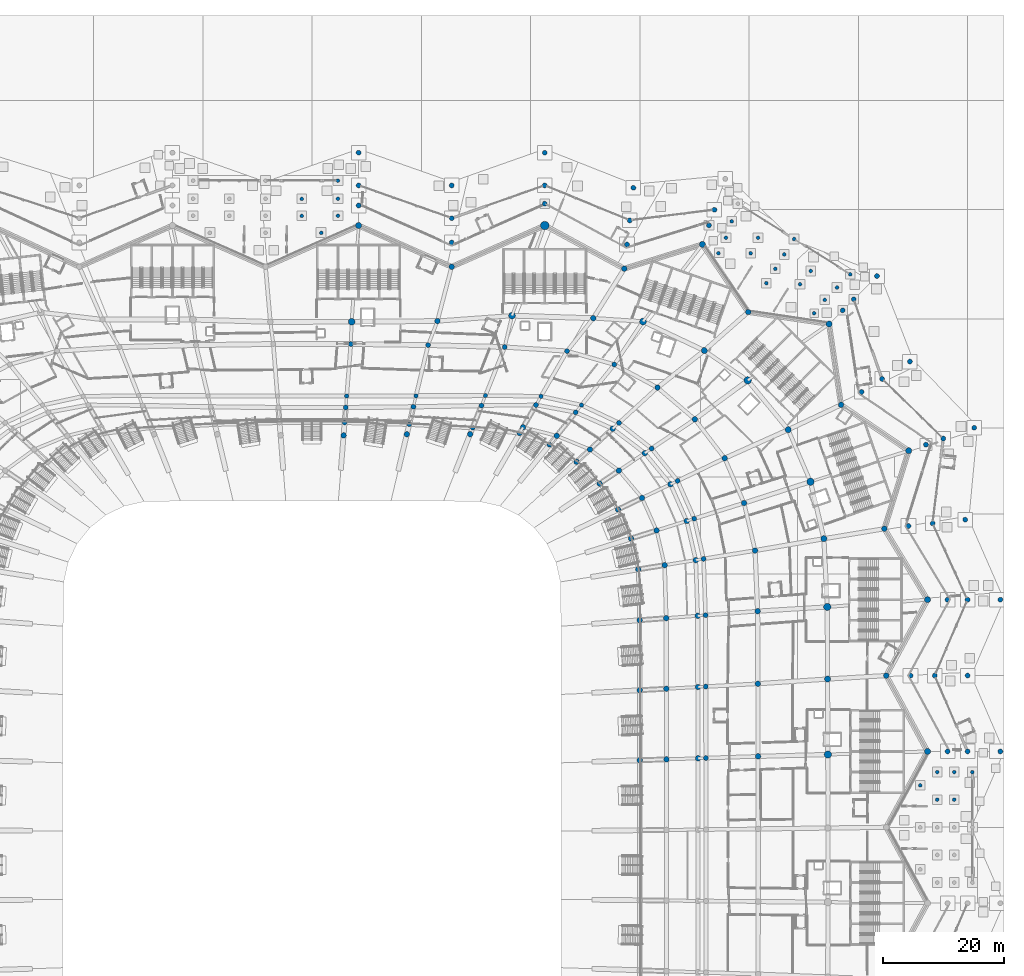
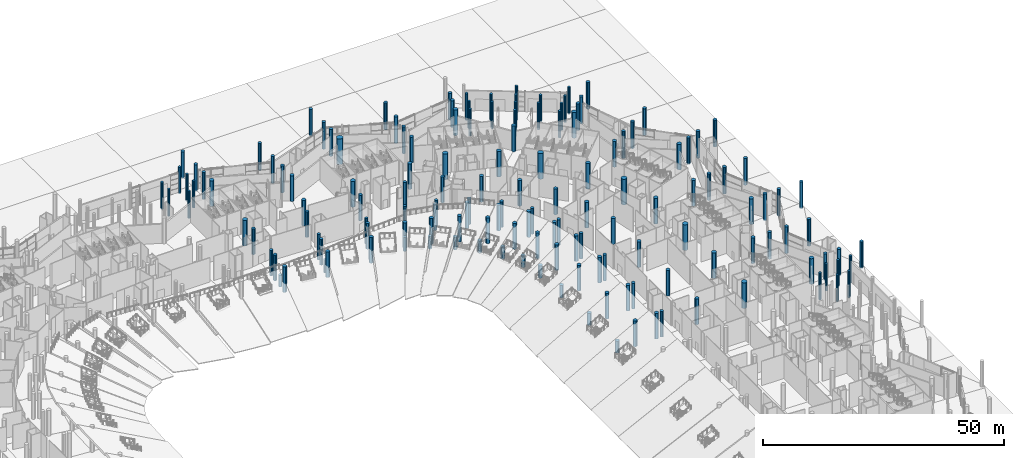
# One storey, part 14 of 255: 153 columns.
"""IFC4 building model written with IfcOpenShell, lengths in metres."""

from ifc_helpers import new_model, si_unit, direction, frame, origin, origin_2d, place, context, subcontext, project, spatial, circle, extrude, material, material_profile, profile_set, type_object, element, save


model = new_model("IFC4")

# Units and contexts
model_context = context("Model", 3, precision=1e-05, world=origin(), true_north=direction((0.0, 1.0)))
body_context = subcontext(model_context, "Body", "Model", "MODEL_VIEW")
ifc_project = project(units=[si_unit("LENGTHUNIT", "METRE"), si_unit("AREAUNIT", "SQUARE_METRE"), si_unit("VOLUMEUNIT", "CUBIC_METRE"), si_unit("PLANEANGLEUNIT", "RADIAN"), si_unit("MASSUNIT", "GRAM", prefix="KILO")], contexts=[model_context])

# Site, building, storey
site_placement = place(None, origin())
site = spatial("IfcSite", under=ifc_project, at=site_placement, CompositionType="ELEMENT")
building_placement = place(site_placement, origin())
building = spatial("IfcBuilding", under=site, at=building_placement, Name="Meseta Stadium", CompositionType="ELEMENT")
storey_placement = place(building_placement, origin())
storey = spatial("IfcBuildingStorey", under=building, at=storey_placement, Name="L00", CompositionType="ELEMENT", Elevation=0.0)

# Columns
ifc_material_1 = material(Name="Concrete C40/50", Category="concrete")
ifc_material_profile_1 = material_profile(ifc_material_1, circle(Radius=0.300048828125, at=origin_2d()), Name="RC D600")
ifc_profile_set_1 = profile_set([ifc_material_profile_1], Name="Concrete C40/50")
column_type_1 = type_object("IfcColumnType", Name="Gate column D600", PredefinedType="COLUMN", material=ifc_profile_set_1)
for number, where, z_axis, x_axis, name in (
    (1, (100.199951171875, 13.16748046875, -0.300048828125), (0.0, 0.0, 1.0), (1.0, 0.0, 0.0), "Gate 1 column L00"),
    (2, (103.0, 10.800048828125, -0.300048828125), (0.0, 0.0, 1.0), (1.0, 0.0, 0.0), "Gate 1 column L00"),
    (3, (103.0, 15.35009765625, -0.300048828125), (0.0, 0.0, 1.0), (1.0, 0.0, 0.0), "Gate 1 column L00"),
    (4, (105.800048828125, 10.800048828125, -0.300048828125), (0.0, 0.0, 1.0), (1.0, 0.0, 0.0), "Gate 1 column L00"),
    (5, (105.800048828125, 15.35009765625, -0.300048828125), (0.0, 0.0, 1.0), (1.0, 0.0, 0.0), "Gate 1 column L00"),
    (6, (108.800048828125, 15.35009765625, -0.300048828125), (0.0, 0.0, 1.0), (1.0, 0.0, 0.0), "Gate 1 column L00"),
    (7, (82.719482421875, 90.93896484375, -0.300048828125), (0.0, 0.0, 1.0), (1.0, 0.0, 0.0), "Gate 2 column L00"),
    (8, (74.836181640625, 95.892578125, -0.300048828125), (0.0, 0.0, 1.0), (1.0, 0.0, 0.0), "Gate 2 column L00"),
    (9, (66.952880859375, 100.845947265625, -0.300048828125), (0.0, 0.0, 1.0), (1.0, 0.0, 0.0), "Gate 2 column L00"),
    (10, (84.462646484375, 93.150390625, -0.300048828125), (0.0, 0.0, 1.0), (1.0, 0.0, 0.0), "Gate 2 column L00"),
    (11, (80.394287109375, 95.706787109375, -0.300048828125), (0.0, 0.0, 1.0), (1.0, 0.0, 0.0), "Gate 2 column L00"),
    (12, (76.32568359375, 98.26318359375, -0.300048828125), (0.0, 0.0, 1.0), (1.0, 0.0, 0.0), "Gate 2 column L00"),
    (13, (72.25732421875, 100.819580078125, -0.300048828125), (0.0, 0.0, 1.0), (1.0, 0.0, 0.0), "Gate 2 column L00"),
    (14, (68.18896484375, 103.3759765625, -0.300048828125), (0.0, 0.0, 1.0), (1.0, 0.0, 0.0), "Gate 2 column L00"),
    (15, (86.49365234375, 95.181396484375, -0.300048828125), (0.0, 0.0, 1.0), (1.0, 0.0, 0.0), "Gate 2 column L00"),
    (16, (82.154541015625, 97.90771484375, -0.300048828125), (0.0, 0.0, 1.0), (1.0, 0.0, 0.0), "Gate 2 column L00"),
    (17, (77.8154296875, 100.634033203125, -0.300048828125), (0.0, 0.0, 1.0), (1.0, 0.0, 0.0), "Gate 2 column L00"),
    (18, (73.4765625, 103.360595703125, -0.300048828125), (0.0, 0.0, 1.0), (1.0, 0.0, 0.0), "Gate 2 column L00"),
    (19, (69.137451171875, 106.0869140625, -0.300048828125), (0.0, 0.0, 1.0), (1.0, 0.0, 0.0), "Gate 2 column L00"),
    (20, (88.66943359375, 97.357177734375, -0.300048828125), (0.0, 0.0, 1.0), (1.0, 0.0, 0.0), "Gate 2 column L00"),
    (21, (79.41162109375, 103.17431640625, -0.300048828125), (0.0, 0.0, 1.0), (1.0, 0.0, 0.0), "Gate 2 column L00"),
    (22, (1.516845703125, 104.199951171875, -0.300048828125), (0.0, 0.0, 1.0), (1.0, 0.0, 0.0), "Gate 3 column L00"),
    (23, (4.2666015625, 107.0, -0.300048828125), (0.0, 0.0, 1.0), (1.0, 0.0, 0.0), "Gate 3 column L00"),
    (24, (-1.699951171875, 107.0, -0.300048828125), (0.0, 0.0, 1.0), (1.0, 0.0, 0.0), "Gate 3 column L00"),
    (25, (4.2666015625, 109.800048828125, -0.300048828125), (0.0, 0.0, 1.0), (1.0, 0.0, 0.0), "Gate 3 column L00"),
    (26, (-1.699951171875, 109.800048828125, -0.300048828125), (0.0, 0.0, 1.0), (1.0, 0.0, 0.0), "Gate 3 column L00"),
    (27, (4.2666015625, 112.800048828125, -0.300048828125), (0.0, 0.0, 1.0), (1.0, 0.0, 0.0), "Gate 3 column L00"),
):
    element("IfcColumn", number, at=place(storey_placement, frame(where, z_axis=z_axis, x_axis=x_axis)), inside=storey, type_object=column_type_1, Name=name, PredefinedType="COLUMN", context=body_context, shape_type="SweptSolid", body=[
        extrude(circle(Radius=0.300048828125, at=origin_2d()), origin(), (0.0, 0.0, 1.0), 6.800048828125),
    ])
ifc_material_2 = material(Name="Concrete C40/50", Category="concrete")
ifc_material_profile_2 = material_profile(ifc_material_2, circle(Radius=0.5, at=origin_2d()), Name="RC D1000")
ifc_profile_set_2 = profile_set([ifc_material_profile_2], Name="Concrete C40/50")
column_type_2 = type_object("IfcColumnType", Name="RC column D1000", PredefinedType="COLUMN", material=ifc_profile_set_2)
for number, where, z_axis, x_axis, name in (
    (28, (101.39990234375, 18.75, 0.0), (0.0, 0.0, 1.0), (1.0, 0.0, 0.0), "Column C10 L00 frame 6 line R"),
    (29, (84.92529296875, 30.681640625, 0.0), (0.0, 0.0, 1.0), (1.0, 0.0, 0.0), "Column C10 L00 frame 7 line P"),
    (30, (101.39990234375, 43.75, 0.0), (0.0, 0.0, 1.0), (1.0, 0.0, 0.0), "Column C10 L00 frame 8 line R"),
    (31, (84.3251953125, 53.801513671875, 0.0), (0.0, 0.0, 1.0), (1.0, 0.0, 0.0), "Column C10 L00 frame 9 line P"),
    (32, (98.291015625, 68.29736328125, 0.0), (0.0, 0.0, 1.0), (1.0, 0.0, 0.0), "Column C10 L00 frame 10 line R"),
    (33, (78.4453125, 71.756103515625, 0.0), (0.0, 0.0, 1.0), (1.0, 0.0, 0.0), "Column C10 L00 frame 11 line P"),
    (34, (85.173828125, 89.173828125, 0.0), (0.0, 0.0, 1.0), (1.0, 0.0, 0.0), "Column C10 L00 frame 12 line R"),
    (35, (64.6220703125, 84.79248046875, 0.0), (0.0, 0.0, 1.0), (1.0, 0.0, 0.0), "Column C10 L00 frame 13 line P"),
    (36, (64.29736328125, 102.291015625, 0.0), (0.0, 0.0, 1.0), (1.0, 0.0, 0.0), "Column C10 L00 frame 14 line R"),
    (37, (7.666748046875, 105.39990234375, 0.0), (0.0, 0.0, 1.0), (1.0, 0.0, 0.0), "Column C10 L00 frame 18 line R"),
):
    element("IfcColumn", number, at=place(storey_placement, frame(where, z_axis=z_axis, x_axis=x_axis)), inside=storey, type_object=column_type_2, Name=name, PredefinedType="COLUMN", context=body_context, shape_type="SweptSolid", body=[
        extrude(circle(Radius=0.5, at=origin_2d()), origin(), (0.0, 0.0, 1.0), 6.5),
    ])
ifc_material_3 = material(Name="Concrete C40/50", Category="concrete")
ifc_material_profile_3 = material_profile(ifc_material_3, circle(Radius=0.550048828125, at=origin_2d()), Name="RC D1100")
ifc_profile_set_3 = profile_set([ifc_material_profile_3], Name="Concrete C40/50")
column_type_3 = type_object("IfcColumnType", Name="RC column D1100", PredefinedType="COLUMN", material=ifc_profile_set_3)
for number, where, z_axis, x_axis, name in (
    (38, (54.523193359375, 89.579345703125, 0.0), (0.0, 0.0, 1.0), (1.0, 0.0, 0.0), "Column C11 L00 frame 14 line P"),
    (39, (32.944091796875, 90.551025390625, 0.0), (0.0, 0.0, 1.0), (1.0, 0.0, 0.0), "Column C11 L00 frame 16 line P"),
    (40, (6.51708984375, 89.54638671875, 0.0), (0.0, 0.0, 1.0), (1.0, 0.0, 0.0), "Column C11 L00 frame 18 line P"),
):
    element("IfcColumn", number, at=place(storey_placement, frame(where, z_axis=z_axis, x_axis=x_axis)), inside=storey, type_object=column_type_3, Name=name, PredefinedType="COLUMN", context=body_context, shape_type="SweptSolid", body=[
        extrude(circle(Radius=0.550048828125, at=origin_2d()), origin(), (0.0, 0.0, 1.0), 6.5),
    ])
ifc_material_4 = material(Name="Concrete C40/50", Category="concrete")
ifc_material_profile_4 = material_profile(ifc_material_4, circle(Radius=0.60009765625, at=origin_2d()), Name="RC D1200")
ifc_profile_set_4 = profile_set([ifc_material_profile_4], Name="Concrete C40/50")
column_type_4 = type_object("IfcColumnType", Name="RC column D1200", PredefinedType="COLUMN", material=ifc_profile_set_4)
for number, where, z_axis, x_axis, name in (
    (41, (84.978515625, 18.24365234375, 0.0), (0.0, 0.0, 1.0), (1.0, 0.0, 0.0), "Column C12 L00 frame 6 line P"),
    (42, (84.884033203125, 42.5615234375, 0.0), (0.0, 0.0, 1.0), (1.0, 0.0, 0.0), "Column C12 L00 frame 8 line P"),
    (43, (82.119873046875, 63.191162109375, 0.0), (0.0, 0.0, 1.0), (1.0, 0.0, 0.0), "Column C12 L00 frame 10 line P"),
    (44, (71.775390625, 79.888916015625, 0.0), (0.0, 0.0, 1.0), (1.0, 0.0, 0.0), "Column C12 L00 frame 12 line P"),
):
    element("IfcColumn", number, at=place(storey_placement, frame(where, z_axis=z_axis, x_axis=x_axis)), inside=storey, type_object=column_type_4, Name=name, PredefinedType="COLUMN", context=body_context, shape_type="SweptSolid", body=[
        extrude(circle(Radius=0.60009765625, at=origin_2d()), origin(), (0.0, 0.0, 1.0), 6.5),
    ])
ifc_material_5 = material(Name="Concrete C40/50", Category="concrete")
ifc_material_profile_5 = material_profile(ifc_material_5, circle(Radius=0.699951171875, at=origin_2d()), Name="RC D1400")
ifc_profile_set_5 = profile_set([ifc_material_profile_5], Name="Concrete C40/50")
column_type_5 = type_object("IfcColumnType", Name="RC column D1400", PredefinedType="COLUMN", material=ifc_profile_set_5)
column_1_placement = place(storey_placement, frame((38.333251953125, 105.39990234375, 0.0), z_axis=(0.0, 0.0, 1.0), x_axis=(1.0, 0.0, 0.0)))
element("IfcColumn", 45, at=column_1_placement, inside=storey, type_object=column_type_5, Name="Column C14 L00 frame 16 line R", PredefinedType="COLUMN", context=body_context, shape_type="SweptSolid", body=[
    extrude(circle(Radius=0.699951171875, at=origin_2d()), origin(), (0.0, 0.0, 1.0), 6.5),
])
ifc_material_6 = material(Name="Concrete C40/50", Category="concrete")
ifc_material_profile_6 = material_profile(ifc_material_6, circle(Radius=0.35009765625, at=origin_2d()), Name="RC D700")
ifc_profile_set_6 = profile_set([ifc_material_profile_6], Name="Concrete C40/50")
column_type_6 = type_object("IfcColumnType", Name="RC column D700", PredefinedType="COLUMN", material=ifc_profile_set_6)
for number, where, z_axis, x_axis, name in (
    (46, (44.39013671875, 75.806396484375, 0.0), (0.0, 0.0, 1.0), (1.0, 0.0, 0.0), "Column C7 L00 frame 14 line D"),
    (47, (37.711669921875, 77.26171875, 0.0), (0.0, 0.0, 1.0), (1.0, 0.0, 0.0), "Column C7 L00 frame 15 line D"),
    (48, (28.564697265625, 77.38330078125, 0.0), (0.0, 0.0, 1.0), (1.0, 0.0, 0.0), "Column C7 L00 frame 16 line D"),
    (49, (17.126708984375, 77.33203125, 0.0), (0.0, 0.0, 1.0), (1.0, 0.0, 0.0), "Column C7 L00 frame 17 line D"),
    (50, (5.70654296875, 77.3037109375, 0.0), (0.0, 0.0, 1.0), (1.0, 0.0, 0.0), "Column C7 L00 frame 18 line D"),
):
    element("IfcColumn", number, at=place(storey_placement, frame(where, z_axis=z_axis, x_axis=x_axis)), inside=storey, type_object=column_type_6, Name=name, PredefinedType="COLUMN", context=body_context, shape_type="SweptSolid", body=[
        extrude(circle(Radius=0.35009765625, at=origin_2d()), origin(), (0.0, 0.0, 1.0), 6.5),
    ])
ifc_material_7 = material(Name="Concrete C40/50", Category="concrete")
ifc_material_profile_7 = material_profile(ifc_material_7, circle(Radius=0.39990234375, at=origin_2d()), Name="RC D800")
ifc_profile_set_7 = profile_set([ifc_material_profile_7], Name="Concrete C40/50")
column_type_7 = type_object("IfcColumnType", Name="RC column D800", PredefinedType="COLUMN", material=ifc_profile_set_7)
for number, where, z_axis, x_axis, name in (
    (51, (64.886962890625, 17.66064453125, 0.0), (0.0, 0.0, 1.0), (1.0, 0.0, 0.0), "Column C8 L00 frame 6 line D"),
    (52, (64.8642578125, 29.433349609375, 0.0), (0.0, 0.0, 1.0), (1.0, 0.0, 0.0), "Column C8 L00 frame 7 line D"),
    (53, (64.829833984375, 41.2041015625, 0.0), (0.0, 0.0, 1.0), (1.0, 0.0, 0.0), "Column C8 L00 frame 8 line D"),
    (54, (64.501708984375, 50.479736328125, 0.0), (0.0, 0.0, 1.0), (1.0, 0.0, 0.0), "Column C8 L00 frame 9 line D"),
    (55, (62.963623046875, 57.1044921875, 0.0), (0.0, 0.0, 1.0), (1.0, 0.0, 0.0), "Column C8 L00 frame 10 line D"),
    (56, (60.22216796875, 63.33056640625, 0.0), (0.0, 0.0, 1.0), (1.0, 0.0, 0.0), "Column C8 L00 frame 11 line D"),
    (57, (55.940185546875, 68.657958984375, 0.0), (0.0, 0.0, 1.0), (1.0, 0.0, 0.0), "Column C8 L00 frame 12 line D"),
    (58, (50.571533203125, 72.888671875, 0.0), (0.0, 0.0, 1.0), (1.0, 0.0, 0.0), "Column C8 L00 frame 13 line D"),
):
    element("IfcColumn", number, at=place(storey_placement, frame(where, z_axis=z_axis, x_axis=x_axis)), inside=storey, type_object=column_type_7, Name=name, PredefinedType="COLUMN", context=body_context, shape_type="SweptSolid", body=[
        extrude(circle(Radius=0.39990234375, at=origin_2d()), origin(), (0.0, 0.0, 1.0), 6.5),
    ])
column_2_placement = place(storey_placement, frame((39.11865234375, 69.274658203125, 0.0), z_axis=(0.0, 0.0, 1.0), x_axis=(1.0, 0.0, 0.0)))
element("IfcColumn", 59, at=column_2_placement, inside=storey, type_object=column_type_7, Name="Column C8 L00 frame 14 line B", PredefinedType="COLUMN", context=body_context, shape_type="SweptSolid", body=[
    extrude(circle(Radius=0.39990234375, at=origin_2d()), origin(), (0.0, 0.0, 1.0), 3.234130859375),
])
for number, where, z_axis, x_axis, name in (
    (60, (43.430419921875, 74.617431640625, 0.0), (0.0, 0.0, 1.0), (1.0, 0.0, 0.0), "Column C8 L00 frame 14 line C"),
    (61, (49.791259765625, 82.498779296875, 0.0), (0.0, 0.0, 1.0), (1.0, 0.0, 0.0), "Column C8 L00 frame 14 line E"),
):
    element("IfcColumn", number, at=place(storey_placement, frame(where, z_axis=z_axis, x_axis=x_axis)), inside=storey, type_object=column_type_7, Name=name, PredefinedType="COLUMN", context=body_context, shape_type="SweptSolid", body=[
        extrude(circle(Radius=0.39990234375, at=origin_2d()), origin(), (0.0, 0.0, 1.0), 6.5),
    ])
column_3_placement = place(storey_placement, frame((34.185302734375, 71.16064453125, 0.0), z_axis=(0.0, 0.0, 1.0), x_axis=(1.0, 0.0, 0.0)))
element("IfcColumn", 62, at=column_3_placement, inside=storey, type_object=column_type_7, Name="Column C8 L00 frame 15 line B", PredefinedType="COLUMN", context=body_context, shape_type="SweptSolid", body=[
    extrude(circle(Radius=0.39990234375, at=origin_2d()), origin(), (0.0, 0.0, 1.0), 3.56884765625),
])
for number, where, z_axis, x_axis, name in (
    (63, (36.8857421875, 75.8330078125, 0.0), (0.0, 0.0, 1.0), (1.0, 0.0, 0.0), "Column C8 L00 frame 15 line C"),
    (64, (42.015625, 84.707275390625, 0.0), (0.0, 0.0, 1.0), (1.0, 0.0, 0.0), "Column C8 L00 frame 15 line E"),
):
    element("IfcColumn", number, at=place(storey_placement, frame(where, z_axis=z_axis, x_axis=x_axis)), inside=storey, type_object=column_type_7, Name=name, PredefinedType="COLUMN", context=body_context, shape_type="SweptSolid", body=[
        extrude(circle(Radius=0.39990234375, at=origin_2d()), origin(), (0.0, 0.0, 1.0), 6.5),
    ])
column_4_placement = place(storey_placement, frame((26.461669921875, 72.08349609375, 0.0), z_axis=(0.0, 0.0, 1.0), x_axis=(1.0, 0.0, 0.0)))
element("IfcColumn", 65, at=column_4_placement, inside=storey, type_object=column_type_7, Name="Column C8 L00 frame 16 line B", PredefinedType="COLUMN", context=body_context, shape_type="SweptSolid", body=[
    extrude(circle(Radius=0.39990234375, at=origin_2d()), origin(), (0.0, 0.0, 1.0), 3.587646484375),
])
for number, where, z_axis, x_axis, name in (
    (66, (27.910888671875, 75.735595703125, 0.0), (0.0, 0.0, 1.0), (1.0, 0.0, 0.0), "Column C8 L00 frame 16 line C"),
    (67, (31.73681640625, 85.376708984375, 0.0), (0.0, 0.0, 1.0), (1.0, 0.0, 0.0), "Column C8 L00 frame 16 line E"),
):
    element("IfcColumn", number, at=place(storey_placement, frame(where, z_axis=z_axis, x_axis=x_axis)), inside=storey, type_object=column_type_7, Name=name, PredefinedType="COLUMN", context=body_context, shape_type="SweptSolid", body=[
        extrude(circle(Radius=0.39990234375, at=origin_2d()), origin(), (0.0, 0.0, 1.0), 6.5),
    ])
column_5_placement = place(storey_placement, frame((16.010986328125, 72.646484375, 0.0), z_axis=(0.0, 0.0, 1.0), x_axis=(1.0, 0.0, 0.0)))
element("IfcColumn", 68, at=column_5_placement, inside=storey, type_object=column_type_7, Name="Column C8 L00 frame 17 line B", PredefinedType="COLUMN", context=body_context, shape_type="SweptSolid", body=[
    extrude(circle(Radius=0.39990234375, at=origin_2d()), origin(), (0.0, 0.0, 1.0), 3.262451171875),
])
for number, where, z_axis, x_axis, name in (
    (69, (16.697509765625, 75.529541015625, 0.0), (0.0, 0.0, 1.0), (1.0, 0.0, 0.0), "Column C8 L00 frame 17 line C"),
    (70, (19.11865234375, 85.6982421875, 0.0), (0.0, 0.0, 1.0), (1.0, 0.0, 0.0), "Column C8 L00 frame 17 line E"),
):
    element("IfcColumn", number, at=place(storey_placement, frame(where, z_axis=z_axis, x_axis=x_axis)), inside=storey, type_object=column_type_7, Name=name, PredefinedType="COLUMN", context=body_context, shape_type="SweptSolid", body=[
        extrude(circle(Radius=0.39990234375, at=origin_2d()), origin(), (0.0, 0.0, 1.0), 6.5),
    ])
column_6_placement = place(storey_placement, frame((5.36181640625, 72.959228515625, 0.0), z_axis=(0.0, 0.0, 1.0), x_axis=(1.0, 0.0, 0.0)))
element("IfcColumn", 71, at=column_6_placement, inside=storey, type_object=column_type_7, Name="Column C8 L00 frame 18 line B", PredefinedType="COLUMN", context=body_context, shape_type="SweptSolid", body=[
    extrude(circle(Radius=0.39990234375, at=origin_2d()), origin(), (0.0, 0.0, 1.0), 2.91455078125),
])
for number, where, z_axis, x_axis, name in (
    (72, (5.556640625, 75.4150390625, 0.0), (0.0, 0.0, 1.0), (1.0, 0.0, 0.0), "Column C8 L00 frame 18 line C"),
    (73, (6.386962890625, 85.876708984375, 0.0), (0.0, 0.0, 1.0), (1.0, 0.0, 0.0), "Column C8 L00 frame 18 line E"),
):
    element("IfcColumn", number, at=place(storey_placement, frame(where, z_axis=z_axis, x_axis=x_axis)), inside=storey, type_object=column_type_7, Name=name, PredefinedType="COLUMN", context=body_context, shape_type="SweptSolid", body=[
        extrude(circle(Radius=0.39990234375, at=origin_2d()), origin(), (0.0, 0.0, 1.0), 6.5),
    ])
for number, where, z_axis, x_axis, name in (
    (74, (104.699951171875, 18.75, -0.300048828125), (0.0, 0.0, 1.0), (1.0, 0.0, 0.0), "Ring column C8 L00 frame 6 line M"),
    (75, (108.0, 18.75, -0.300048828125), (0.0, 0.0, 1.0), (1.0, 0.0, 0.0), "Ring column C8 L00 frame 6 line Q"),
    (76, (113.39990234375, 18.75, -0.300048828125), (0.0, 0.0, 1.0), (1.0, 0.0, 0.0), "Ring column C8 L00 frame 6 line O"),
    (77, (98.60009765625, 31.25, -0.300048828125), (0.0, 0.0, 1.0), (1.0, 0.0, 0.0), "Ring column C8 L00 frame 7 line M"),
    (78, (102.60009765625, 31.25, -0.300048828125), (0.0, 0.0, 1.0), (1.0, 0.0, 0.0), "Ring column C8 L00 frame 7 line Q"),
    (79, (108.0, 31.25, -0.300048828125), (0.0, 0.0, 1.0), (1.0, 0.0, 0.0), "Ring column C8 L00 frame 7 line O"),
    (80, (104.699951171875, 43.75, -0.300048828125), (0.0, 0.0, 1.0), (1.0, 0.0, 0.0), "Ring column C8 L00 frame 8 line M"),
    (81, (108.0, 43.75, -0.300048828125), (0.0, 0.0, 1.0), (1.0, 0.0, 0.0), "Ring column C8 L00 frame 8 line Q"),
    (82, (113.39990234375, 43.75, -0.300048828125), (0.0, 0.0, 1.0), (1.0, 0.0, 0.0), "Ring column C8 L00 frame 8 line O"),
    (83, (98.269287109375, 55.889404296875, -0.300048828125), (0.0, 0.0, 1.0), (1.0, 0.0, 0.0), "Ring column C8 L00 frame 9 line M"),
    (84, (102.244140625, 56.337158203125, -0.300048828125), (0.0, 0.0, 1.0), (1.0, 0.0, 0.0), "Ring column C8 L00 frame 9 line Q"),
    (85, (107.610107421875, 56.94189453125, -0.300048828125), (0.0, 0.0, 1.0), (1.0, 0.0, 0.0), "Ring column C8 L00 frame 9 line O"),
    (86, (101.140380859375, 69.29443359375, -0.300048828125), (0.0, 0.0, 1.0), (1.0, 0.0, 0.0), "Ring column C8 L00 frame 10 line M"),
    (87, (103.989990234375, 70.29150390625, -0.300048828125), (0.0, 0.0, 1.0), (1.0, 0.0, 0.0), "Ring column C8 L00 frame 10 line Q"),
    (88, (109.0869140625, 72.0751953125, -0.300048828125), (0.0, 0.0, 1.0), (1.0, 0.0, 0.0), "Ring column C8 L00 frame 10 line O"),
    (89, (90.53759765625, 77.98486328125, -0.300048828125), (0.0, 0.0, 1.0), (1.0, 0.0, 0.0), "Ring column C8 L00 frame 11 line M"),
    (90, (93.924560546875, 80.113037109375, -0.300048828125), (0.0, 0.0, 1.0), (1.0, 0.0, 0.0), "Ring column C8 L00 frame 11 line Q"),
    (91, (98.496826171875, 82.986083984375, -0.300048828125), (0.0, 0.0, 1.0), (1.0, 0.0, 0.0), "Ring column C8 L00 frame 11 line O"),
    (92, (87.426513671875, 91.426513671875, -0.300048828125), (0.0, 0.0, 1.0), (1.0, 0.0, 0.0), "Ring column C8 L00 frame 12 line M"),
    (93, (89.2548828125, 93.2548828125, -0.300048828125), (0.0, 0.0, 1.0), (1.0, 0.0, 0.0), "Ring column C8 L00 frame 12 line Q"),
    (94, (93.0732421875, 97.0732421875, -0.300048828125), (0.0, 0.0, 1.0), (1.0, 0.0, 0.0), "Ring column C8 L00 frame 12 line O"),
    (95, (65.3935546875, 105.423583984375, -0.300048828125), (0.0, 0.0, 1.0), (1.0, 0.0, 0.0), "Ring column C8 L00 frame 14 line M"),
    (96, (66.29150390625, 107.989990234375, -0.300048828125), (0.0, 0.0, 1.0), (1.0, 0.0, 0.0), "Ring column C8 L00 frame 14 line Q"),
    (97, (51.889404296875, 102.269287109375, -0.300048828125), (0.0, 0.0, 1.0), (1.0, 0.0, 0.0), "Ring column C8 L00 frame 15 line M"),
    (98, (52.337158203125, 106.244140625, -0.300048828125), (0.0, 0.0, 1.0), (1.0, 0.0, 0.0), "Ring column C8 L00 frame 15 line Q"),
    (99, (52.94189453125, 111.610107421875, -0.300048828125), (0.0, 0.0, 1.0), (1.0, 0.0, 0.0), "Ring column C8 L00 frame 15 line O"),
    (100, (38.333251953125, 109.0, -0.300048828125), (0.0, 0.0, 1.0), (1.0, 0.0, 0.0), "Ring column C8 L00 frame 16 line M"),
    (101, (38.333251953125, 112.0, -0.300048828125), (0.0, 0.0, 1.0), (1.0, 0.0, 0.0), "Ring column C8 L00 frame 16 line Q"),
    (102, (38.333251953125, 117.39990234375, -0.300048828125), (0.0, 0.0, 1.0), (1.0, 0.0, 0.0), "Ring column C8 L00 frame 16 line O"),
    (103, (23.0, 102.60009765625, -0.300048828125), (0.0, 0.0, 1.0), (1.0, 0.0, 0.0), "Ring column C8 L00 frame 17 line M"),
    (104, (23.0, 106.60009765625, -0.300048828125), (0.0, 0.0, 1.0), (1.0, 0.0, 0.0), "Ring column C8 L00 frame 17 line Q"),
    (105, (23.0, 112.0, -0.300048828125), (0.0, 0.0, 1.0), (1.0, 0.0, 0.0), "Ring column C8 L00 frame 17 line O"),
    (106, (7.666748046875, 108.699951171875, -0.300048828125), (0.0, 0.0, 1.0), (1.0, 0.0, 0.0), "Ring column C8 L00 frame 18 line M"),
    (107, (7.666748046875, 112.0, -0.300048828125), (0.0, 0.0, 1.0), (1.0, 0.0, 0.0), "Ring column C8 L00 frame 18 line Q"),
    (108, (7.666748046875, 117.39990234375, -0.300048828125), (0.0, 0.0, 1.0), (1.0, 0.0, 0.0), "Ring column C8 L00 frame 18 line O"),
):
    element("IfcColumn", number, at=place(storey_placement, frame(where, z_axis=z_axis, x_axis=x_axis)), inside=storey, type_object=column_type_7, Name=name, PredefinedType="COLUMN", context=body_context, shape_type="SweptSolid", body=[
        extrude(circle(Radius=0.39990234375, at=origin_2d()), origin(), (0.0, 0.0, 1.0), 6.800048828125),
    ])
ifc_material_8 = material(Name="Concrete C40/50", Category="concrete")
ifc_material_profile_8 = material_profile(ifc_material_8, circle(Radius=0.449951171875, at=origin_2d()), Name="RC D900")
ifc_profile_set_8 = profile_set([ifc_material_profile_8], Name="Concrete C40/50")
column_type_8 = type_object("IfcColumnType", Name="RC column D900", PredefinedType="COLUMN", material=ifc_profile_set_8)
column_7_placement = place(storey_placement, frame((53.992919921875, 17.302490234375, 0.0), z_axis=(0.0, 0.0, 1.0), x_axis=(1.0, 0.0, 0.0)))
element("IfcColumn", 109, at=column_7_placement, inside=storey, type_object=column_type_8, Name="Column C9 L00 frame 6 line B", PredefinedType="COLUMN", context=body_context, shape_type="SweptSolid", body=[
    extrude(circle(Radius=0.449951171875, at=origin_2d()), origin(), (0.0, 0.0, 1.0), 3.02392578125),
])
for number, where, z_axis, x_axis, name in (
    (110, (58.390625, 17.447021484375, 0.0), (0.0, 0.0, 1.0), (1.0, 0.0, 0.0), "Column C9 L00 frame 6 line U"),
    (111, (63.587890625, 17.617919921875, 0.0), (0.0, 0.0, 1.0), (1.0, 0.0, 0.0), "Column C9 L00 frame 6 line C"),
    (112, (73.482421875, 17.943603515625, 0.0), (0.0, 0.0, 1.0), (1.0, 0.0, 0.0), "Column C9 L00 frame 6 line E"),
):
    element("IfcColumn", number, at=place(storey_placement, frame(where, z_axis=z_axis, x_axis=x_axis)), inside=storey, type_object=column_type_8, Name=name, PredefinedType="COLUMN", context=body_context, shape_type="SweptSolid", body=[
        extrude(circle(Radius=0.449951171875, at=origin_2d()), origin(), (0.0, 0.0, 1.0), 6.5),
    ])
column_8_placement = place(storey_placement, frame((53.98046875, 28.836669921875, 0.0), z_axis=(0.0, 0.0, 1.0), x_axis=(1.0, 0.0, 0.0)))
element("IfcColumn", 113, at=column_8_placement, inside=storey, type_object=column_type_8, Name="Column C9 L00 frame 7 line B", PredefinedType="COLUMN", context=body_context, shape_type="SweptSolid", body=[
    extrude(circle(Radius=0.449951171875, at=origin_2d()), origin(), (0.0, 0.0, 1.0), 3.086669921875),
])
for number, where, z_axis, x_axis, name in (
    (114, (58.3740234375, 29.07763671875, 0.0), (0.0, 0.0, 1.0), (1.0, 0.0, 0.0), "Column C9 L00 frame 7 line U"),
    (115, (63.566162109375, 29.362060546875, 0.0), (0.0, 0.0, 1.0), (1.0, 0.0, 0.0), "Column C9 L00 frame 7 line C"),
    (116, (73.451171875, 29.904052734375, 0.0), (0.0, 0.0, 1.0), (1.0, 0.0, 0.0), "Column C9 L00 frame 7 line E"),
    (117, (94.60009765625, 31.25, 0.0), (0.0, 0.0, 1.0), (1.0, 0.0, 0.0), "Column C9 L00 frame 7 line R"),
):
    element("IfcColumn", number, at=place(storey_placement, frame(where, z_axis=z_axis, x_axis=x_axis)), inside=storey, type_object=column_type_8, Name=name, PredefinedType="COLUMN", context=body_context, shape_type="SweptSolid", body=[
        extrude(circle(Radius=0.449951171875, at=origin_2d()), origin(), (0.0, 0.0, 1.0), 6.5),
    ])
column_9_placement = place(storey_placement, frame((53.9619140625, 40.369873046875, 0.0), z_axis=(0.0, 0.0, 1.0), x_axis=(1.0, 0.0, 0.0)))
element("IfcColumn", 118, at=column_9_placement, inside=storey, type_object=column_type_8, Name="Column C9 L00 frame 8 line B", PredefinedType="COLUMN", context=body_context, shape_type="SweptSolid", body=[
    extrude(circle(Radius=0.449951171875, at=origin_2d()), origin(), (0.0, 0.0, 1.0), 3.1494140625),
])
for number, where, z_axis, x_axis, name in (
    (119, (58.348876953125, 40.70654296875, 0.0), (0.0, 0.0, 1.0), (1.0, 0.0, 0.0), "Column C9 L00 frame 8 line U"),
    (120, (63.53369140625, 41.1044921875, 0.0), (0.0, 0.0, 1.0), (1.0, 0.0, 0.0), "Column C9 L00 frame 8 line C"),
    (121, (73.40478515625, 41.8623046875, 0.0), (0.0, 0.0, 1.0), (1.0, 0.0, 0.0), "Column C9 L00 frame 8 line E"),
):
    element("IfcColumn", number, at=place(storey_placement, frame(where, z_axis=z_axis, x_axis=x_axis)), inside=storey, type_object=column_type_8, Name=name, PredefinedType="COLUMN", context=body_context, shape_type="SweptSolid", body=[
        extrude(circle(Radius=0.449951171875, at=origin_2d()), origin(), (0.0, 0.0, 1.0), 6.5),
    ])
column_10_placement = place(storey_placement, frame((53.740234375, 48.74658203125, 0.0), z_axis=(0.0, 0.0, 1.0), x_axis=(1.0, 0.0, 0.0)))
element("IfcColumn", 122, at=column_10_placement, inside=storey, type_object=column_type_8, Name="Column C9 L00 frame 9 line B", PredefinedType="COLUMN", context=body_context, shape_type="SweptSolid", body=[
    extrude(circle(Radius=0.449951171875, at=origin_2d()), origin(), (0.0, 0.0, 1.0), 3.1513671875),
])
for number, where, z_axis, x_axis, name in (
    (123, (58.084228515625, 49.4462890625, 0.0), (0.0, 0.0, 1.0), (1.0, 0.0, 0.0), "Column C9 L00 frame 9 line U"),
    (124, (63.21826171875, 50.27294921875, 0.0), (0.0, 0.0, 1.0), (1.0, 0.0, 0.0), "Column C9 L00 frame 9 line C"),
    (125, (72.9921875, 51.84716796875, 0.0), (0.0, 0.0, 1.0), (1.0, 0.0, 0.0), "Column C9 L00 frame 9 line E"),
    (126, (94.29443359375, 55.44140625, 0.0), (0.0, 0.0, 1.0), (1.0, 0.0, 0.0), "Column C9 L00 frame 9 line R"),
):
    element("IfcColumn", number, at=place(storey_placement, frame(where, z_axis=z_axis, x_axis=x_axis)), inside=storey, type_object=column_type_8, Name=name, PredefinedType="COLUMN", context=body_context, shape_type="SweptSolid", body=[
        extrude(circle(Radius=0.449951171875, at=origin_2d()), origin(), (0.0, 0.0, 1.0), 6.5),
    ])
column_11_placement = place(storey_placement, frame((52.562744140625, 53.843505859375, 0.0), z_axis=(0.0, 0.0, 1.0), x_axis=(1.0, 0.0, 0.0)))
element("IfcColumn", 127, at=column_11_placement, inside=storey, type_object=column_type_8, Name="Column C9 L00 frame 10 line B", PredefinedType="COLUMN", context=body_context, shape_type="SweptSolid", body=[
    extrude(circle(Radius=0.449951171875, at=origin_2d()), origin(), (0.0, 0.0, 1.0), 3.00634765625),
])
for number, where, z_axis, x_axis, name in (
    (128, (56.76123046875, 55.15966796875, 0.0), (0.0, 0.0, 1.0), (1.0, 0.0, 0.0), "Column C9 L00 frame 10 line U"),
    (129, (61.72314453125, 56.715576171875, 0.0), (0.0, 0.0, 1.0), (1.0, 0.0, 0.0), "Column C9 L00 frame 10 line C"),
    (130, (71.169677734375, 59.67724609375, 0.0), (0.0, 0.0, 1.0), (1.0, 0.0, 0.0), "Column C9 L00 frame 10 line E"),
):
    element("IfcColumn", number, at=place(storey_placement, frame(where, z_axis=z_axis, x_axis=x_axis)), inside=storey, type_object=column_type_8, Name=name, PredefinedType="COLUMN", context=body_context, shape_type="SweptSolid", body=[
        extrude(circle(Radius=0.449951171875, at=origin_2d()), origin(), (0.0, 0.0, 1.0), 6.5),
    ])
column_12_placement = place(storey_placement, frame((50.41650390625, 58.61474609375, 0.0), z_axis=(0.0, 0.0, 1.0), x_axis=(1.0, 0.0, 0.0)))
element("IfcColumn", 131, at=column_12_placement, inside=storey, type_object=column_type_8, Name="Column C9 L00 frame 11 line B", PredefinedType="COLUMN", context=body_context, shape_type="SweptSolid", body=[
    extrude(circle(Radius=0.449951171875, at=origin_2d()), origin(), (0.0, 0.0, 1.0), 3.07421875),
])
for number, where, z_axis, x_axis, name in (
    (132, (54.3642578125, 60.513427734375, 0.0), (0.0, 0.0, 1.0), (1.0, 0.0, 0.0), "Column C9 L00 frame 11 line U"),
    (133, (59.049072265625, 62.766357421875, 0.0), (0.0, 0.0, 1.0), (1.0, 0.0, 0.0), "Column C9 L00 frame 11 line C"),
    (134, (67.972412109375, 67.057861328125, 0.0), (0.0, 0.0, 1.0), (1.0, 0.0, 0.0), "Column C9 L00 frame 11 line E"),
    (135, (87.15087890625, 75.856689453125, 0.0), (0.0, 0.0, 1.0), (1.0, 0.0, 0.0), "Column C9 L00 frame 11 line R"),
):
    element("IfcColumn", number, at=place(storey_placement, frame(where, z_axis=z_axis, x_axis=x_axis)), inside=storey, type_object=column_type_8, Name=name, PredefinedType="COLUMN", context=body_context, shape_type="SweptSolid", body=[
        extrude(circle(Radius=0.449951171875, at=origin_2d()), origin(), (0.0, 0.0, 1.0), 6.5),
    ])
column_13_placement = place(storey_placement, frame((47.38134765625, 62.880126953125, 0.0), z_axis=(0.0, 0.0, 1.0), x_axis=(1.0, 0.0, 0.0)))
element("IfcColumn", 136, at=column_13_placement, inside=storey, type_object=column_type_8, Name="Column C9 L00 frame 12 line B", PredefinedType="COLUMN", context=body_context, shape_type="SweptSolid", body=[
    extrude(circle(Radius=0.449951171875, at=origin_2d()), origin(), (0.0, 0.0, 1.0), 3.139892578125),
])
for number, where, z_axis, x_axis, name in (
    (137, (50.552978515625, 65.021240234375, 0.0), (0.0, 0.0, 1.0), (1.0, 0.0, 0.0), "Column C9 L00 frame 12 line U"),
    (138, (54.819580078125, 67.901611328125, 0.0), (0.0, 0.0, 1.0), (1.0, 0.0, 0.0), "Column C9 L00 frame 12 line C"),
    (139, (63.068115234375, 73.469970703125, 0.0), (0.0, 0.0, 1.0), (1.0, 0.0, 0.0), "Column C9 L00 frame 12 line E"),
):
    element("IfcColumn", number, at=place(storey_placement, frame(where, z_axis=z_axis, x_axis=x_axis)), inside=storey, type_object=column_type_8, Name=name, PredefinedType="COLUMN", context=body_context, shape_type="SweptSolid", body=[
        extrude(circle(Radius=0.449951171875, at=origin_2d()), origin(), (0.0, 0.0, 1.0), 6.5),
    ])
column_14_placement = place(storey_placement, frame((43.5693359375, 66.478759765625, 0.0), z_axis=(0.0, 0.0, 1.0), x_axis=(1.0, 0.0, 0.0)))
element("IfcColumn", 140, at=column_14_placement, inside=storey, type_object=column_type_8, Name="Column C9 L00 frame 13 line B", PredefinedType="COLUMN", context=body_context, shape_type="SweptSolid", body=[
    extrude(circle(Radius=0.449951171875, at=origin_2d()), origin(), (0.0, 0.0, 1.0), 3.2021484375),
])
for number, where, z_axis, x_axis, name in (
    (141, (45.777099609375, 68.499755859375, 0.0), (0.0, 0.0, 1.0), (1.0, 0.0, 0.0), "Column C9 L00 frame 13 line U"),
    (142, (49.518310546875, 71.924560546875, 0.0), (0.0, 0.0, 1.0), (1.0, 0.0, 0.0), "Column C9 L00 frame 13 line C"),
    (143, (56.9150390625, 78.69580078125, 0.0), (0.0, 0.0, 1.0), (1.0, 0.0, 0.0), "Column C9 L00 frame 13 line E"),
    (144, (71.856689453125, 91.15087890625, 0.0), (0.0, 0.0, 1.0), (1.0, 0.0, 0.0), "Column C9 L00 frame 13 line R"),
    (145, (40.307861328125, 70.748291015625, 0.0), (0.0, 0.0, 1.0), (1.0, 0.0, 0.0), "Column C9 L00 frame 14 line U"),
    (146, (34.7607421875, 72.15625, 0.0), (0.0, 0.0, 1.0), (1.0, 0.0, 0.0), "Column C9 L00 frame 15 line U"),
    (147, (46.333251953125, 90.126220703125, 0.0), (0.0, 0.0, 1.0), (1.0, 0.0, 0.0), "Column C9 L00 frame 15 line P"),
    (148, (51.44140625, 98.29443359375, 0.0), (0.0, 0.0, 1.0), (1.0, 0.0, 0.0), "Column C9 L00 frame 15 line R"),
    (149, (26.03759765625, 71.014404296875, 0.0), (0.0, 0.0, 1.0), (1.0, 0.0, 0.0), "Column C9 L00 frame 16 line U"),
    (150, (15.62109375, 71.0087890625, 0.0), (0.0, 0.0, 1.0), (1.0, 0.0, 0.0), "Column C9 L00 frame 17 line U"),
    (151, (20.649658203125, 89.65625, 0.0), (0.0, 0.0, 1.0), (1.0, 0.0, 0.0), "Column C9 L00 frame 17 line P"),
    (152, (23.0, 98.60009765625, 0.0), (0.0, 0.0, 1.0), (1.0, 0.0, 0.0), "Column C9 L00 frame 17 line R"),
    (153, (5.1923828125, 70.823974609375, 0.0), (0.0, 0.0, 1.0), (1.0, 0.0, 0.0), "Column C9 L00 frame 18 line U"),
):
    element("IfcColumn", number, at=place(storey_placement, frame(where, z_axis=z_axis, x_axis=x_axis)), inside=storey, type_object=column_type_8, Name=name, PredefinedType="COLUMN", context=body_context, shape_type="SweptSolid", body=[
        extrude(circle(Radius=0.449951171875, at=origin_2d()), origin(), (0.0, 0.0, 1.0), 6.5),
    ])

save(model, "model.ifc")
